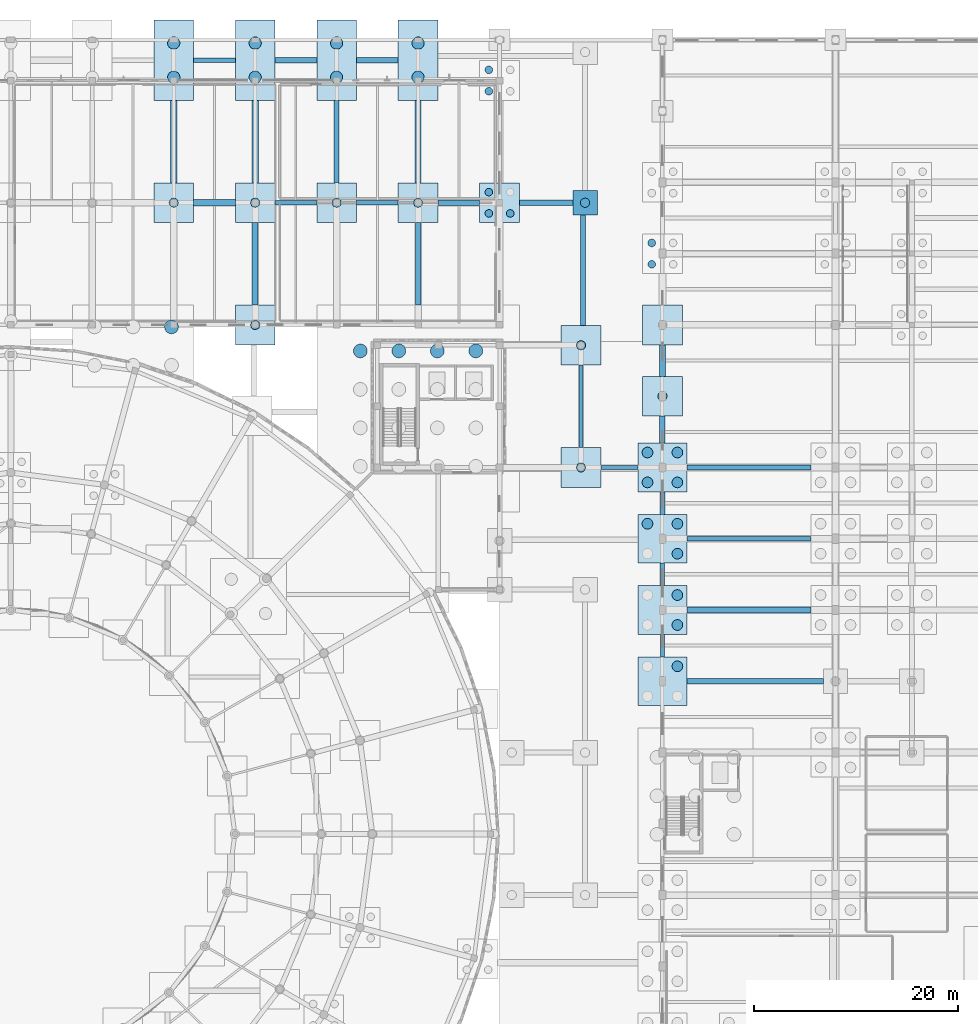
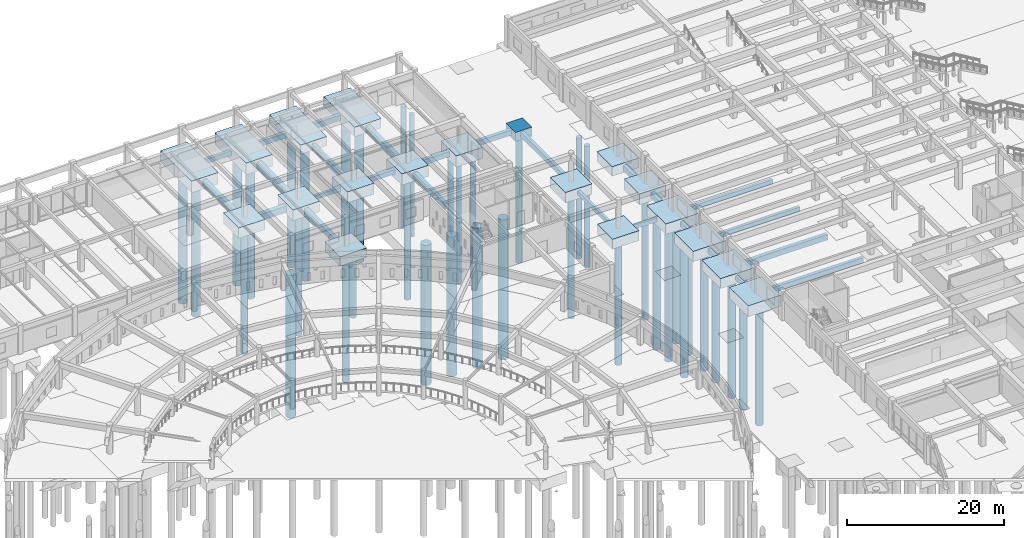
# One storey, part 7 of 84: 45 footings, 39 piles.
"""IFC4 building model written with IfcOpenShell, lengths in metres."""

from ifc_helpers import new_model, si_unit, direction, frame, origin, origin_2d, place, context, subcontext, project, spatial, rectangle, circle, extrude, material, material_profile, profile_set, type_object, element, save


model = new_model("IFC4")

# Units and contexts
model_context = context("Model", 3, precision=1e-05, world=origin(), true_north=direction((0.0, 1.0)))
body_context = subcontext(model_context, "Body", "Model", "MODEL_VIEW")
ifc_project = project(units=[si_unit("LENGTHUNIT", "METRE"), si_unit("AREAUNIT", "SQUARE_METRE"), si_unit("VOLUMEUNIT", "CUBIC_METRE"), si_unit("PLANEANGLEUNIT", "RADIAN"), si_unit("MASSUNIT", "GRAM", prefix="KILO")], contexts=[model_context])

# Site, building, storey
site_placement = place(None, origin())
site = spatial("IfcSite", under=ifc_project, at=site_placement, CompositionType="ELEMENT")
building_placement = place(site_placement, origin())
building = spatial("IfcBuilding", under=site, at=building_placement, Name="Larkveld Mobility Hub", CompositionType="ELEMENT")
storey_placement = place(building_placement, origin())
storey = spatial("IfcBuildingStorey", under=building, at=storey_placement, Name="L00", CompositionType="ELEMENT", Elevation=0.0)

# Footings
ifc_material = material(Name="Concrete C35/45", Category="concrete")
ifc_material_profile_1 = material_profile(ifc_material, rectangle(XDim=0.39990234375, YDim=0.60009765625, at=origin_2d()), Name="RC BM 400x600")
ifc_profile_set_1 = profile_set([ifc_material_profile_1], Name="Concrete C35/45")
footing_type_1 = type_object("IfcFootingType", Name="FT-FB01", PredefinedType="FOOTING_BEAM", material=ifc_profile_set_1)
footing_1_placement = place(storey_placement, frame((105.949951171875, 84.0, -0.64990234375), z_axis=(1.0, 0.0, 0.0), x_axis=(0.0, 1.0, 0.0)))
element("IfcFooting", 1, at=footing_1_placement, inside=storey, type_object=footing_type_1, Name="Ground Tie Beam GB-049", PredefinedType="FOOTING_BEAM", context=body_context, shape_type="SweptSolid", body=[
    extrude(rectangle(XDim=0.39990234375, YDim=0.60009765625, at=origin_2d()), origin(), (0.0, 0.0, 1.0), 3.650146484375),
])
footing_2_placement = place(storey_placement, frame((73.949951171875, 110.0, -0.64990234375), z_axis=(1.0, 0.0, 0.0), x_axis=(0.0, 1.0, 0.0)))
element("IfcFooting", 2, at=footing_2_placement, inside=storey, type_object=footing_type_1, Name="Ground Tie Beam GB-073", PredefinedType="FOOTING_BEAM", context=body_context, shape_type="SweptSolid", body=[
    extrude(rectangle(XDim=0.39990234375, YDim=0.60009765625, at=origin_2d()), origin(), (0.0, 0.0, 1.0), 4.10009765625),
])
footing_3_placement = place(storey_placement, frame((104.0, 85.949951171875, -0.64990234375), z_axis=(0.0, 1.0, 0.0), x_axis=(-1.0, 0.0, 0.0)))
element("IfcFooting", 3, at=footing_3_placement, inside=storey, type_object=footing_type_1, Name="Ground Tie Beam GB-139", PredefinedType="FOOTING_BEAM", context=body_context, shape_type="SweptSolid", body=[
    extrude(rectangle(XDim=0.39990234375, YDim=0.60009765625, at=origin_2d()), origin(), (0.0, 0.0, 1.0), 8.10009765625),
])
footing_4_placement = place(storey_placement, frame((112.0, 65.39990234375, -0.64990234375), z_axis=(0.0, 1.0, 0.0), x_axis=(-1.0, 0.0, 0.0)))
element("IfcFooting", 4, at=footing_4_placement, inside=storey, type_object=footing_type_1, Name="Ground Tie Beam GB-145", PredefinedType="FOOTING_BEAM", context=body_context, shape_type="SweptSolid", body=[
    extrude(rectangle(XDim=0.39990234375, YDim=0.60009765625, at=origin_2d()), origin(), (0.0, 0.0, 1.0), 2.2001953125),
])
ifc_material_profile_2 = material_profile(ifc_material, rectangle(XDim=0.449951171875, YDim=0.699951171875, at=origin_2d()), Name="RC BM 450x700")
ifc_profile_set_2 = profile_set([ifc_material_profile_2], Name="Concrete C35/45")
footing_type_2 = type_object("IfcFootingType", Name="FT-FB02", PredefinedType="FOOTING_BEAM", material=ifc_profile_set_2)
for number, where, z_axis, x_axis, name in (
    (5, (114.39990234375, 77.0, -0.699951171875), (1.0, 0.0, 0.0), (0.0, 1.0, 0.0), "Ground Tie Beam GB-044"),
    (6, (114.39990234375, 84.0, -0.699951171875), (1.0, 0.0, 0.0), (0.0, 1.0, 0.0), "Ground Tie Beam GB-050"),
):
    element("IfcFooting", number, at=place(storey_placement, frame(where, z_axis=z_axis, x_axis=x_axis)), inside=storey, type_object=footing_type_2, Name=name, PredefinedType="FOOTING_BEAM", context=body_context, shape_type="SweptSolid", body=[
        extrude(rectangle(XDim=0.449951171875, YDim=0.699951171875, at=origin_2d()), origin(), (0.0, 0.0, 1.0), 12.2001953125),
    ])
for number, where, z_axis, x_axis, name in (
    (7, (81.949951171875, 110.0, -0.699951171875), (1.0, 0.0, 0.0), (0.0, 1.0, 0.0), "Ground Tie Beam GB-074"),
    (8, (65.949951171875, 124.0, -0.699951171875), (1.0, 0.0, 0.0), (0.0, 1.0, 0.0), "Ground Tie Beam GB-086"),
):
    element("IfcFooting", number, at=place(storey_placement, frame(where, z_axis=z_axis, x_axis=x_axis)), inside=storey, type_object=footing_type_2, Name=name, PredefinedType="FOOTING_BEAM", context=body_context, shape_type="SweptSolid", body=[
        extrude(rectangle(XDim=0.449951171875, YDim=0.699951171875, at=origin_2d()), origin(), (0.0, 0.0, 1.0), 4.10009765625),
    ])
footing_5_placement = place(storey_placement, frame((112.0, 72.39990234375, -0.699951171875), z_axis=(0.0, 1.0, 0.0), x_axis=(-1.0, 0.0, 0.0)))
element("IfcFooting", 9, at=footing_5_placement, inside=storey, type_object=footing_type_2, Name="Ground Tie Beam GB-146", PredefinedType="FOOTING_BEAM", context=body_context, shape_type="SweptSolid", body=[
    extrude(rectangle(XDim=0.449951171875, YDim=0.699951171875, at=origin_2d()), origin(), (0.0, 0.0, 1.0), 2.2001953125),
])
ifc_material_profile_3 = material_profile(ifc_material, rectangle(XDim=0.5, YDim=0.800048828125, at=origin_2d()), Name="RC BM 500x800")
ifc_profile_set_3 = profile_set([ifc_material_profile_3], Name="Concrete C35/45")
footing_type_3 = type_object("IfcFootingType", Name="FT-FB03", PredefinedType="FOOTING_BEAM", material=ifc_profile_set_3)
for number, where, z_axis, x_axis, name in (
    (10, (89.949951171875, 110.0, -0.75), (1.0, 0.0, 0.0), (0.0, 1.0, 0.0), "Ground Tie Beam GB-075"),
    (11, (73.949951171875, 124.0, -0.75), (1.0, 0.0, 0.0), (0.0, 1.0, 0.0), "Ground Tie Beam GB-087"),
):
    element("IfcFooting", number, at=place(storey_placement, frame(where, z_axis=z_axis, x_axis=x_axis)), inside=storey, type_object=footing_type_3, Name=name, PredefinedType="FOOTING_BEAM", context=body_context, shape_type="SweptSolid", body=[
        extrude(rectangle(XDim=0.5, YDim=0.800048828125, at=origin_2d()), origin(), (0.0, 0.0, 1.0), 4.10009765625),
    ])
footing_6_placement = place(storey_placement, frame((80.0, 111.949951171875, -0.75), z_axis=(0.0, 1.0, 0.0), x_axis=(-1.0, 0.0, 0.0)))
element("IfcFooting", 12, at=footing_6_placement, inside=storey, type_object=footing_type_3, Name="Ground Tie Beam GB-135", PredefinedType="FOOTING_BEAM", context=body_context, shape_type="SweptSolid", body=[
    extrude(rectangle(XDim=0.5, YDim=0.800048828125, at=origin_2d()), origin(), (0.0, 0.0, 1.0), 8.10009765625),
])
footing_7_placement = place(storey_placement, frame((112.0, 79.39990234375, -0.75), z_axis=(0.0, 1.0, 0.0), x_axis=(-1.0, 0.0, 0.0)))
element("IfcFooting", 13, at=footing_7_placement, inside=storey, type_object=footing_type_3, Name="Ground Tie Beam GB-147", PredefinedType="FOOTING_BEAM", context=body_context, shape_type="SweptSolid", body=[
    extrude(rectangle(XDim=0.5, YDim=0.800048828125, at=origin_2d()), origin(), (0.0, 0.0, 1.0), 2.2001953125),
])
footing_8_placement = place(storey_placement, frame((114.39990234375, 63.0, -0.580078125), z_axis=(1.0, 0.0, 0.0), x_axis=(0.0, 1.0, 0.0)))
element("IfcFooting", 14, at=footing_8_placement, inside=storey, type_object=footing_type_3, Name="Passage Ground Tie Beam PGB-012", PredefinedType="FOOTING_BEAM", context=body_context, shape_type="SweptSolid", body=[
    extrude(rectangle(XDim=0.5, YDim=0.800048828125, at=origin_2d()), origin(), (0.0, 0.0, 1.0), 13.400146484375),
])
footing_9_placement = place(storey_placement, frame((97.949951171875, 110.0, -0.580078125), z_axis=(1.0, 0.0, 0.0), x_axis=(0.0, 1.0, 0.0)))
element("IfcFooting", 15, at=footing_9_placement, inside=storey, type_object=footing_type_3, Name="Passage Ground Tie Beam PGB-017", PredefinedType="FOOTING_BEAM", context=body_context, shape_type="SweptSolid", body=[
    extrude(rectangle(XDim=0.5, YDim=0.800048828125, at=origin_2d()), origin(), (0.0, 0.0, 1.0), 5.25),
])
footing_10_placement = place(storey_placement, frame((104.199951171875, 97.949951171875, -0.580078125), z_axis=(0.0, 1.0, 0.0), x_axis=(-1.0, 0.0, 0.0)))
element("IfcFooting", 16, at=footing_10_placement, inside=storey, type_object=footing_type_3, Name="Passage Ground Tie Beam PGB-028", PredefinedType="FOOTING_BEAM", context=body_context, shape_type="SweptSolid", body=[
    extrude(rectangle(XDim=0.5, YDim=0.800048828125, at=origin_2d()), origin(), (0.0, 0.0, 1.0), 10.85009765625),
])
ifc_material_profile_4 = material_profile(ifc_material, rectangle(XDim=0.550048828125, YDim=0.85009765625, at=origin_2d()), Name="RC BM 550x850")
ifc_profile_set_4 = profile_set([ifc_material_profile_4], Name="Concrete C35/45")
footing_type_4 = type_object("IfcFootingType", Name="FT-FB04", PredefinedType="FOOTING_BEAM", material=ifc_profile_set_4)
footing_11_placement = place(storey_placement, frame((114.39990234375, 70.0, -0.77490234375), z_axis=(1.0, 0.0, 0.0), x_axis=(0.0, 1.0, 0.0)))
element("IfcFooting", 17, at=footing_11_placement, inside=storey, type_object=footing_type_4, Name="Ground Tie Beam GB-040", PredefinedType="FOOTING_BEAM", context=body_context, shape_type="SweptSolid", body=[
    extrude(rectangle(XDim=0.550048828125, YDim=0.85009765625, at=origin_2d()), origin(), (0.0, 0.0, 1.0), 12.2001953125),
])
footing_12_placement = place(storey_placement, frame((81.949951171875, 124.0, -0.77490234375), z_axis=(1.0, 0.0, 0.0), x_axis=(0.0, 1.0, 0.0)))
element("IfcFooting", 18, at=footing_12_placement, inside=storey, type_object=footing_type_4, Name="Ground Tie Beam GB-088", PredefinedType="FOOTING_BEAM", context=body_context, shape_type="SweptSolid", body=[
    extrude(rectangle(XDim=0.550048828125, YDim=0.85009765625, at=origin_2d()), origin(), (0.0, 0.0, 1.0), 4.10009765625),
])
footing_13_placement = place(storey_placement, frame((88.0, 99.949951171875, -0.77490234375), z_axis=(0.0, 1.0, 0.0), x_axis=(-1.0, 0.0, 0.0)))
element("IfcFooting", 19, at=footing_13_placement, inside=storey, type_object=footing_type_4, Name="Ground Tie Beam GB-136", PredefinedType="FOOTING_BEAM", context=body_context, shape_type="SweptSolid", body=[
    extrude(rectangle(XDim=0.550048828125, YDim=0.85009765625, at=origin_2d()), origin(), (0.0, 0.0, 1.0), 8.10009765625),
])
footing_14_placement = place(storey_placement, frame((112.0, 86.39990234375, -0.77490234375), z_axis=(0.0, 1.0, 0.0), x_axis=(-1.0, 0.0, 0.0)))
element("IfcFooting", 20, at=footing_14_placement, inside=storey, type_object=footing_type_4, Name="Ground Tie Beam GB-148", PredefinedType="FOOTING_BEAM", context=body_context, shape_type="SweptSolid", body=[
    extrude(rectangle(XDim=0.550048828125, YDim=0.85009765625, at=origin_2d()), origin(), (0.0, 0.0, 1.0), 2.650146484375),
])
ifc_material_profile_5 = material_profile(ifc_material, rectangle(XDim=0.60009765625, YDim=0.89990234375, at=origin_2d()), Name="RC BM 600x900")
ifc_profile_set_5 = profile_set([ifc_material_profile_5], Name="Concrete C35/45")
footing_type_5 = type_object("IfcFootingType", Name="FT-FB05", PredefinedType="FOOTING_BEAM", material=ifc_profile_set_5)
for number, where, z_axis, x_axis, name in (
    (21, (64.0, 111.949951171875, -0.800048828125), (0.0, 1.0, 0.0), (-1.0, 0.0, 0.0), "Ground Tie Beam GB-125"),
    (22, (72.0, 99.949951171875, -0.800048828125), (0.0, 1.0, 0.0), (-1.0, 0.0, 0.0), "Ground Tie Beam GB-131"),
    (23, (88.0, 111.949951171875, -0.800048828125), (0.0, 1.0, 0.0), (-1.0, 0.0, 0.0), "Ground Tie Beam GB-137"),
):
    element("IfcFooting", number, at=place(storey_placement, frame(where, z_axis=z_axis, x_axis=x_axis)), inside=storey, type_object=footing_type_5, Name=name, PredefinedType="FOOTING_BEAM", context=body_context, shape_type="SweptSolid", body=[
        extrude(rectangle(XDim=0.60009765625, YDim=0.89990234375, at=origin_2d()), origin(), (0.0, 0.0, 1.0), 8.10009765625),
    ])
footing_15_placement = place(storey_placement, frame((112.0, 92.949951171875, -0.800048828125), z_axis=(0.0, 1.0, 0.0), x_axis=(-1.0, 0.0, 0.0)))
element("IfcFooting", 24, at=footing_15_placement, inside=storey, type_object=footing_type_5, Name="Ground Tie Beam GB-149", PredefinedType="FOOTING_BEAM", context=body_context, shape_type="SweptSolid", body=[
    extrude(rectangle(XDim=0.60009765625, YDim=0.89990234375, at=origin_2d()), origin(), (0.0, 0.0, 1.0), 3.10009765625),
])
ifc_material_profile_6 = material_profile(ifc_material, rectangle(XDim=0.64990234375, YDim=1.0, at=origin_2d()), Name="RC BM 650x1000")
ifc_profile_set_6 = profile_set([ifc_material_profile_6], Name="Concrete C35/45")
footing_type_6 = type_object("IfcFootingType", Name="FT-FB06", PredefinedType="FOOTING_BEAM", material=ifc_profile_set_6)
footing_16_placement = place(storey_placement, frame((65.949951171875, 110.0, -0.85009765625), z_axis=(1.0, 0.0, 0.0), x_axis=(0.0, 1.0, 0.0)))
element("IfcFooting", 25, at=footing_16_placement, inside=storey, type_object=footing_type_6, Name="Ground Tie Beam GB-072", PredefinedType="FOOTING_BEAM", context=body_context, shape_type="SweptSolid", body=[
    extrude(rectangle(XDim=0.64990234375, YDim=1.0, at=origin_2d()), origin(), (0.0, 0.0, 1.0), 4.10009765625),
])
footing_17_placement = place(storey_placement, frame((72.0, 111.949951171875, -0.85009765625), z_axis=(0.0, 1.0, 0.0), x_axis=(-1.0, 0.0, 0.0)))
element("IfcFooting", 26, at=footing_17_placement, inside=storey, type_object=footing_type_6, Name="Ground Tie Beam GB-132", PredefinedType="FOOTING_BEAM", context=body_context, shape_type="SweptSolid", body=[
    extrude(rectangle(XDim=0.64990234375, YDim=1.0, at=origin_2d()), origin(), (0.0, 0.0, 1.0), 8.10009765625),
])
footing_type_7 = type_object("IfcFootingType", Name="FT-PC02", PredefinedType="PILE_CAP", material=ifc_material)
footing_18_placement = place(storey_placement, frame((72.0, 98.0, -1.4501953125), z_axis=(0.0, 0.0, 1.0), x_axis=(1.0, 0.0, 0.0)))
element("IfcFooting", 27, at=footing_18_placement, inside=storey, type_object=footing_type_7, Name="Pile Cap PC-162", PredefinedType="PILE_CAP", context=body_context, shape_type="SweptSolid", body=[
    extrude(rectangle(XDim=3.89990234375, YDim=3.89990234375, at=origin_2d()), origin(), (0.0, 0.0, 1.0), 1.449951171875),
])
footing_type_8 = type_object("IfcFootingType", Name="FT-PC03", PredefinedType="PILE_CAP", material=ifc_material)
footing_19_placement = place(storey_placement, frame((112.0, 98.0, -1.5), z_axis=(0.0, 0.0, 1.0), x_axis=(1.0, 0.0, 0.0)))
element("IfcFooting", 28, at=footing_19_placement, inside=storey, type_object=footing_type_8, Name="Pile Cap PC-163", PredefinedType="PILE_CAP", context=body_context, shape_type="SweptSolid", body=[
    extrude(rectangle(XDim=3.89990234375, YDim=3.89990234375, at=origin_2d()), origin(), (0.0, 0.0, 1.0), 1.5),
])
footing_type_9 = type_object("IfcFootingType", Name="FT-PC04", PredefinedType="PILE_CAP", material=ifc_material)
footing_20_placement = place(storey_placement, frame((112.0, 70.0, -1.5498046875), z_axis=(0.0, 0.0, 1.0), x_axis=(1.0, 0.0, 0.0)))
element("IfcFooting", 29, at=footing_20_placement, inside=storey, type_object=footing_type_9, Name="Pile Cap PC-116", PredefinedType="PILE_CAP", context=body_context, shape_type="SweptSolid", body=[
    extrude(rectangle(XDim=4.800048828125, YDim=4.800048828125, at=origin_2d()), origin(), (0.0, 0.0, 1.0), 1.550048828125),
])
footing_21_placement = place(storey_placement, frame((104.0, 84.0, -1.5498046875), z_axis=(0.0, 0.0, 1.0), x_axis=(1.0, 0.0, 0.0)))
element("IfcFooting", 30, at=footing_21_placement, inside=storey, type_object=footing_type_9, Name="Pile Cap PC-148", PredefinedType="PILE_CAP", context=body_context, shape_type="SweptSolid", body=[
    extrude(rectangle(XDim=3.89990234375, YDim=3.89990234375, at=origin_2d()), origin(), (0.0, 0.0, 1.0), 1.550048828125),
])
footing_type_10 = type_object("IfcFootingType", Name="FT-PC06", PredefinedType="PILE_CAP", material=ifc_material)
footing_22_placement = place(storey_placement, frame((64.0, 110.0, -1.60009765625), z_axis=(0.0, 0.0, 1.0), x_axis=(1.0, 0.0, 0.0)))
element("IfcFooting", 31, at=footing_22_placement, inside=storey, type_object=footing_type_10, Name="Pile Cap PC-182", PredefinedType="PILE_CAP", context=body_context, shape_type="SweptSolid", body=[
    extrude(rectangle(XDim=3.89990234375, YDim=3.89990234375, at=origin_2d()), origin(), (0.0, 0.0, 1.0), 1.60009765625),
])
footing_type_11 = type_object("IfcFootingType", Name="FT-PC07", PredefinedType="PILE_CAP", material=ifc_material)
footing_23_placement = place(storey_placement, frame((72.0, 110.0, -1.64990234375), z_axis=(0.0, 0.0, 1.0), x_axis=(1.0, 0.0, 0.0)))
element("IfcFooting", 32, at=footing_23_placement, inside=storey, type_object=footing_type_11, Name="Pile Cap PC-183", PredefinedType="PILE_CAP", context=body_context, shape_type="SweptSolid", body=[
    extrude(rectangle(XDim=3.89990234375, YDim=3.89990234375, at=origin_2d()), origin(), (0.0, 0.0, 1.0), 1.64990234375),
])
footing_type_12 = type_object("IfcFootingType", Name="FT-PC08", PredefinedType="PILE_CAP", material=ifc_material)
footing_24_placement = place(storey_placement, frame((112.0, 63.0, -1.7001953125), z_axis=(0.0, 0.0, 1.0), x_axis=(1.0, 0.0, 0.0)))
element("IfcFooting", 33, at=footing_24_placement, inside=storey, type_object=footing_type_12, Name="Pile Cap PC-104", PredefinedType="PILE_CAP", context=body_context, shape_type="SweptSolid", body=[
    extrude(rectangle(XDim=4.800048828125, YDim=4.800048828125, at=origin_2d()), origin(), (0.0, 0.0, 1.0), 1.699951171875),
])
for number, where, z_axis, x_axis, name in (
    (34, (112.0, 91.0, -1.7001953125), (0.0, 0.0, 1.0), (1.0, 0.0, 0.0), "Pile Cap PC-152"),
    (35, (80.0, 110.0, -1.7001953125), (0.0, 0.0, 1.0), (1.0, 0.0, 0.0), "Pile Cap PC-184"),
):
    element("IfcFooting", number, at=place(storey_placement, frame(where, z_axis=z_axis, x_axis=x_axis)), inside=storey, type_object=footing_type_12, Name=name, PredefinedType="PILE_CAP", context=body_context, shape_type="SweptSolid", body=[
        extrude(rectangle(XDim=3.89990234375, YDim=3.89990234375, at=origin_2d()), origin(), (0.0, 0.0, 1.0), 1.699951171875),
    ])
footing_type_13 = type_object("IfcFootingType", Name="FT-PC09", PredefinedType="PILE_CAP", material=ifc_material)
footing_25_placement = place(storey_placement, frame((88.0, 110.0, -1.75), z_axis=(0.0, 0.0, 1.0), x_axis=(1.0, 0.0, 0.0)))
element("IfcFooting", 36, at=footing_25_placement, inside=storey, type_object=footing_type_13, Name="Pile Cap PC-185", PredefinedType="PILE_CAP", context=body_context, shape_type="SweptSolid", body=[
    extrude(rectangle(XDim=3.89990234375, YDim=3.89990234375, at=origin_2d()), origin(), (0.0, 0.0, 1.0), 1.75),
])
footing_type_14 = type_object("IfcFootingType", Name="FT-PC10", PredefinedType="PILE_CAP", material=ifc_material)
footing_26_placement = place(storey_placement, frame((96.0, 110.0, -1.75), z_axis=(0.0, 0.0, 1.0), x_axis=(1.0, 0.0, 0.0)))
element("IfcFooting", 37, at=footing_26_placement, inside=storey, type_object=footing_type_14, Name="Pile Cap PC-186", PredefinedType="PILE_CAP", context=body_context, shape_type="SweptSolid", body=[
    extrude(rectangle(XDim=3.89990234375, YDim=3.89990234375, at=origin_2d()), origin(), (0.0, 0.0, 1.0), 1.75),
])
footing_type_15 = type_object("IfcFootingType", Name="FT-PC11", PredefinedType="PILE_CAP", material=ifc_material)
footing_27_placement = place(storey_placement, frame((64.0, 124.0, -1.7998046875), z_axis=(0.0, 0.0, 1.0), x_axis=(1.0, 0.0, 0.0)))
element("IfcFooting", 38, at=footing_27_placement, inside=storey, type_object=footing_type_15, Name="Pile Cap PC-203", PredefinedType="PILE_CAP", context=body_context, shape_type="SweptSolid", body=[
    extrude(rectangle(XDim=3.89990234375, YDim=7.89990234375, at=origin_2d()), origin(), (0.0, 0.0, 1.0), 1.800048828125),
])
footing_type_16 = type_object("IfcFootingType", Name="FT-PC12", PredefinedType="PILE_CAP", material=ifc_material)
footing_28_placement = place(storey_placement, frame((72.0, 124.0, -1.7998046875), z_axis=(0.0, 0.0, 1.0), x_axis=(1.0, 0.0, 0.0)))
element("IfcFooting", 39, at=footing_28_placement, inside=storey, type_object=footing_type_16, Name="Pile Cap PC-204", PredefinedType="PILE_CAP", context=body_context, shape_type="SweptSolid", body=[
    extrude(rectangle(XDim=3.89990234375, YDim=7.89990234375, at=origin_2d()), origin(), (0.0, 0.0, 1.0), 1.800048828125),
])
footing_type_17 = type_object("IfcFootingType", Name="FT-PC13", PredefinedType="PILE_CAP", material=ifc_material)
footing_29_placement = place(storey_placement, frame((80.0, 124.0, -1.419921875), z_axis=(0.0, 0.0, 1.0), x_axis=(1.0, 0.0, 0.0)))
element("IfcFooting", 40, at=footing_29_placement, inside=storey, type_object=footing_type_17, Name="Pile Cap PC-205", PredefinedType="PILE_CAP", context=body_context, shape_type="SweptSolid", body=[
    extrude(rectangle(XDim=3.89990234375, YDim=7.89990234375, at=origin_2d()), origin(), (0.0, 0.0, 1.0), 1.419921875),
])
footing_30_placement = place(storey_placement, frame((104.39990234375, 110.0, -1.419921875), z_axis=(0.0, 0.0, 1.0), x_axis=(1.0, 0.0, 0.0)))
element("IfcFooting", 41, at=footing_30_placement, inside=storey, type_object=footing_type_17, Name="Plinth Pile Cap PC-DL19", PredefinedType="PILE_CAP", context=body_context, shape_type="SweptSolid", body=[
    extrude(rectangle(XDim=2.39990234375, YDim=2.39990234375, at=origin_2d()), origin(), (0.0, 0.0, 1.0), 1.419921875),
])
footing_type_18 = type_object("IfcFootingType", Name="FT-PC14", PredefinedType="PILE_CAP", material=ifc_material)
footing_31_placement = place(storey_placement, frame((88.0, 124.0, -1.47998046875), z_axis=(0.0, 0.0, 1.0), x_axis=(1.0, 0.0, 0.0)))
element("IfcFooting", 42, at=footing_31_placement, inside=storey, type_object=footing_type_18, Name="Pile Cap PC-206", PredefinedType="PILE_CAP", context=body_context, shape_type="SweptSolid", body=[
    extrude(rectangle(XDim=3.89990234375, YDim=7.89990234375, at=origin_2d()), origin(), (0.0, 0.0, 1.0), 1.47998046875),
])
footing_type_19 = type_object("IfcFootingType", Name="FT-PC15", PredefinedType="PILE_CAP", material=ifc_material)
for number, where, z_axis, x_axis, name in (
    (43, (112.0, 77.0, -1.6201171875), (0.0, 0.0, 1.0), (1.0, 0.0, 0.0), "Pile Cap PC-127"),
    (44, (112.0, 84.0, -1.6201171875), (0.0, 0.0, 1.0), (1.0, 0.0, 0.0), "Pile Cap PC-143"),
):
    element("IfcFooting", number, at=place(storey_placement, frame(where, z_axis=z_axis, x_axis=x_axis)), inside=storey, type_object=footing_type_19, Name=name, PredefinedType="PILE_CAP", context=body_context, shape_type="SweptSolid", body=[
        extrude(rectangle(XDim=4.800048828125, YDim=4.800048828125, at=origin_2d()), origin(), (0.0, 0.0, 1.0), 1.6201171875),
    ])
footing_32_placement = place(storey_placement, frame((104.0, 96.0, -1.6201171875), z_axis=(0.0, 0.0, 1.0), x_axis=(1.0, 0.0, 0.0)))
element("IfcFooting", 45, at=footing_32_placement, inside=storey, type_object=footing_type_19, Name="Pile Cap PC-159", PredefinedType="PILE_CAP", context=body_context, shape_type="SweptSolid", body=[
    extrude(rectangle(XDim=3.89990234375, YDim=3.89990234375, at=origin_2d()), origin(), (0.0, 0.0, 1.0), 1.6201171875),
])

# Piles
ifc_material_profile_7 = material_profile(ifc_material, circle(Radius=0.375, at=origin_2d()), Name="PILE D750")
ifc_profile_set_7 = profile_set([ifc_material_profile_7], Name="Concrete C35/45")
pile_type_1 = type_object("IfcPileType", Name="PL-B0750", PredefinedType="BORED", material=ifc_profile_set_7)
for number, where, z_axis, x_axis, name in (
    (46, (110.949951171875, 103.949951171875, -1.699951171875), (0.0, 0.0, -1.0), (1.0, 0.0, 0.0), "Bored Pile P-0482"),
    (47, (110.949951171875, 106.050048828125, -1.699951171875), (0.0, 0.0, -1.0), (1.0, 0.0, 0.0), "Bored Pile P-0483"),
):
    element("IfcPile", number, at=place(storey_placement, frame(where, z_axis=z_axis, x_axis=x_axis)), inside=storey, type_object=pile_type_1, Name=name, PredefinedType="BORED", context=body_context, shape_type="SweptSolid", body=[
        extrude(circle(Radius=0.375, at=origin_2d()), origin(), (0.0, 0.0, 1.0), 18.800048828125),
    ])
for number, where, z_axis, x_axis, name in (
    (48, (94.949951171875, 108.949951171875, -1.64990234375), (0.0, 0.0, -1.0), (1.0, 0.0, 0.0), "Bored Pile P-0526"),
    (49, (94.949951171875, 111.050048828125, -1.64990234375), (0.0, 0.0, -1.0), (1.0, 0.0, 0.0), "Bored Pile P-0527"),
    (50, (97.050048828125, 108.949951171875, -1.64990234375), (0.0, 0.0, -1.0), (1.0, 0.0, 0.0), "Bored Pile P-0528"),
):
    element("IfcPile", number, at=place(storey_placement, frame(where, z_axis=z_axis, x_axis=x_axis)), inside=storey, type_object=pile_type_1, Name=name, PredefinedType="BORED", context=body_context, shape_type="SweptSolid", body=[
        extrude(circle(Radius=0.375, at=origin_2d()), origin(), (0.0, 0.0, 1.0), 18.85009765625),
    ])
for number, where, z_axis, x_axis, name in (
    (51, (94.949951171875, 120.949951171875, -1.52001953125), (0.0, 0.0, -1.0), (1.0, 0.0, 0.0), "Bored Pile P-0572"),
    (52, (94.949951171875, 123.050048828125, -1.52001953125), (0.0, 0.0, -1.0), (1.0, 0.0, 0.0), "Bored Pile P-0573"),
):
    element("IfcPile", number, at=place(storey_placement, frame(where, z_axis=z_axis, x_axis=x_axis)), inside=storey, type_object=pile_type_1, Name=name, PredefinedType="BORED", context=body_context, shape_type="SweptSolid", body=[
        extrude(circle(Radius=0.375, at=origin_2d()), origin(), (0.0, 0.0, 1.0), 18.97998046875),
    ])
ifc_material_profile_8 = material_profile(ifc_material, circle(Radius=0.449951171875, at=origin_2d()), Name="PILE D900")
ifc_profile_set_8 = profile_set([ifc_material_profile_8], Name="Concrete C35/45")
pile_type_2 = type_object("IfcPileType", Name="PL-B0900", PredefinedType="BORED", material=ifc_profile_set_8)
pile_1_placement = place(storey_placement, frame((104.0, 84.0, -1.449951171875), z_axis=(0.0, 0.0, -1.0), x_axis=(1.0, 0.0, 0.0)))
element("IfcPile", 53, at=pile_1_placement, inside=storey, type_object=pile_type_2, Name="Bored Pile P-0438", PredefinedType="BORED", context=body_context, shape_type="SweptSolid", body=[
    extrude(circle(Radius=0.449951171875, at=origin_2d()), origin(), (0.0, 0.0, 1.0), 19.75),
])
pile_2_placement = place(storey_placement, frame((112.0, 91.0, -1.60009765625), z_axis=(0.0, 0.0, -1.0), x_axis=(1.0, 0.0, 0.0)))
element("IfcPile", 54, at=pile_2_placement, inside=storey, type_object=pile_type_2, Name="Bored Pile P-0445", PredefinedType="BORED", context=body_context, shape_type="SweptSolid", body=[
    extrude(circle(Radius=0.449951171875, at=origin_2d()), origin(), (0.0, 0.0, 1.0), 19.60009765625),
])
pile_3_placement = place(storey_placement, frame((104.0, 96.0, -1.52001953125), z_axis=(0.0, 0.0, -1.0), x_axis=(1.0, 0.0, 0.0)))
element("IfcPile", 55, at=pile_3_placement, inside=storey, type_object=pile_type_2, Name="Bored Pile P-0464", PredefinedType="BORED", context=body_context, shape_type="SweptSolid", body=[
    extrude(circle(Radius=0.449951171875, at=origin_2d()), origin(), (0.0, 0.0, 1.0), 19.679931640625),
])
pile_4_placement = place(storey_placement, frame((72.0, 98.0, -1.35009765625), z_axis=(0.0, 0.0, -1.0), x_axis=(1.0, 0.0, 0.0)))
element("IfcPile", 56, at=pile_4_placement, inside=storey, type_object=pile_type_2, Name="Bored Pile P-0470", PredefinedType="BORED", context=body_context, shape_type="SweptSolid", body=[
    extrude(circle(Radius=0.449951171875, at=origin_2d()), origin(), (0.0, 0.0, 1.0), 19.85009765625),
])
pile_5_placement = place(storey_placement, frame((64.0, 110.0, -1.5), z_axis=(0.0, 0.0, -1.0), x_axis=(1.0, 0.0, 0.0)))
element("IfcPile", 57, at=pile_5_placement, inside=storey, type_object=pile_type_2, Name="Bored Pile P-0522", PredefinedType="BORED", context=body_context, shape_type="SweptSolid", body=[
    extrude(circle(Radius=0.449951171875, at=origin_2d()), origin(), (0.0, 0.0, 1.0), 19.699951171875),
])
pile_6_placement = place(storey_placement, frame((72.0, 110.0, -1.550048828125), z_axis=(0.0, 0.0, -1.0), x_axis=(1.0, 0.0, 0.0)))
element("IfcPile", 58, at=pile_6_placement, inside=storey, type_object=pile_type_2, Name="Bored Pile P-0523", PredefinedType="BORED", context=body_context, shape_type="SweptSolid", body=[
    extrude(circle(Radius=0.449951171875, at=origin_2d()), origin(), (0.0, 0.0, 1.0), 19.64990234375),
])
pile_7_placement = place(storey_placement, frame((80.0, 110.0, -1.60009765625), z_axis=(0.0, 0.0, -1.0), x_axis=(1.0, 0.0, 0.0)))
element("IfcPile", 59, at=pile_7_placement, inside=storey, type_object=pile_type_2, Name="Bored Pile P-0524", PredefinedType="BORED", context=body_context, shape_type="SweptSolid", body=[
    extrude(circle(Radius=0.449951171875, at=origin_2d()), origin(), (0.0, 0.0, 1.0), 19.60009765625),
])
pile_8_placement = place(storey_placement, frame((88.0, 110.0, -1.64990234375), z_axis=(0.0, 0.0, -1.0), x_axis=(1.0, 0.0, 0.0)))
element("IfcPile", 60, at=pile_8_placement, inside=storey, type_object=pile_type_2, Name="Bored Pile P-0525", PredefinedType="BORED", context=body_context, shape_type="SweptSolid", body=[
    extrude(circle(Radius=0.449951171875, at=origin_2d()), origin(), (0.0, 0.0, 1.0), 19.550048828125),
])
pile_9_placement = place(storey_placement, frame((104.39990234375, 110.0, -1.320068359375), z_axis=(0.0, 0.0, -1.0), x_axis=(1.0, 0.0, 0.0)))
element("IfcPile", 61, at=pile_9_placement, inside=storey, type_object=pile_type_2, Name="Bored Pile P-DL19", PredefinedType="BORED", context=body_context, shape_type="SweptSolid", body=[
    extrude(circle(Radius=0.449951171875, at=origin_2d()), origin(), (0.0, 0.0, 1.0), 19.8798828125),
])
ifc_material_profile_9 = material_profile(ifc_material, circle(Radius=0.52490234375, at=origin_2d()), Name="PILE D1050")
ifc_profile_set_9 = profile_set([ifc_material_profile_9], Name="Concrete C35/45")
pile_type_3 = type_object("IfcPileType", Name="PL-B1050", PredefinedType="BORED", material=ifc_profile_set_9)
pile_10_placement = place(storey_placement, frame((113.469970703125, 64.469970703125, -1.60009765625), z_axis=(0.0, 0.0, -1.0), x_axis=(1.0, 0.0, 0.0)))
element("IfcPile", 62, at=pile_10_placement, inside=storey, type_object=pile_type_3, Name="Bored Pile P-0313", PredefinedType="BORED", context=body_context, shape_type="SweptSolid", body=[
    extrude(circle(Radius=0.52490234375, at=origin_2d()), origin(), (0.0, 0.0, 1.0), 20.39990234375),
])
for number, where, z_axis, x_axis, name in (
    (63, (113.469970703125, 68.530029296875, -1.449951171875), (0.0, 0.0, -1.0), (1.0, 0.0, 0.0), "Bored Pile P-0330"),
    (64, (113.469970703125, 71.469970703125, -1.449951171875), (0.0, 0.0, -1.0), (1.0, 0.0, 0.0), "Bored Pile P-0331"),
):
    element("IfcPile", number, at=place(storey_placement, frame(where, z_axis=z_axis, x_axis=x_axis)), inside=storey, type_object=pile_type_3, Name=name, PredefinedType="BORED", context=body_context, shape_type="SweptSolid", body=[
        extrude(circle(Radius=0.52490234375, at=origin_2d()), origin(), (0.0, 0.0, 1.0), 20.550048828125),
    ])
for number, where, z_axis, x_axis, name in (
    (65, (110.530029296875, 78.469970703125, -1.52001953125), (0.0, 0.0, -1.0), (1.0, 0.0, 0.0), "Bored Pile P-0358"),
    (66, (113.469970703125, 75.530029296875, -1.52001953125), (0.0, 0.0, -1.0), (1.0, 0.0, 0.0), "Bored Pile P-0359"),
    (67, (113.469970703125, 78.469970703125, -1.52001953125), (0.0, 0.0, -1.0), (1.0, 0.0, 0.0), "Bored Pile P-0360"),
    (68, (110.530029296875, 82.530029296875, -1.52001953125), (0.0, 0.0, -1.0), (1.0, 0.0, 0.0), "Bored Pile P-0418"),
    (69, (110.530029296875, 85.469970703125, -1.52001953125), (0.0, 0.0, -1.0), (1.0, 0.0, 0.0), "Bored Pile P-0419"),
    (70, (113.469970703125, 82.530029296875, -1.52001953125), (0.0, 0.0, -1.0), (1.0, 0.0, 0.0), "Bored Pile P-0420"),
    (71, (113.469970703125, 85.469970703125, -1.52001953125), (0.0, 0.0, -1.0), (1.0, 0.0, 0.0), "Bored Pile P-0421"),
):
    element("IfcPile", number, at=place(storey_placement, frame(where, z_axis=z_axis, x_axis=x_axis)), inside=storey, type_object=pile_type_3, Name=name, PredefinedType="BORED", context=body_context, shape_type="SweptSolid", body=[
        extrude(circle(Radius=0.52490234375, at=origin_2d()), origin(), (0.0, 0.0, 1.0), 20.47998046875),
    ])
ifc_material_profile_10 = material_profile(ifc_material, circle(Radius=0.60009765625, at=origin_2d()), Name="PILE D1200")
ifc_profile_set_10 = profile_set([ifc_material_profile_10], Name="Concrete C35/45")
pile_type_4 = type_object("IfcPileType", Name="PL-B1200", PredefinedType="BORED", material=ifc_profile_set_10)
for number, where, z_axis, x_axis, name in (
    (72, (64.0, 122.320068359375, -1.699951171875), (0.0, 0.0, -1.0), (1.0, 0.0, 0.0), "Bored Pile P-0564"),
    (73, (64.0, 125.679931640625, -1.699951171875), (0.0, 0.0, -1.0), (1.0, 0.0, 0.0), "Bored Pile P-0565"),
    (74, (72.0, 122.320068359375, -1.699951171875), (0.0, 0.0, -1.0), (1.0, 0.0, 0.0), "Bored Pile P-0566"),
    (75, (72.0, 125.679931640625, -1.699951171875), (0.0, 0.0, -1.0), (1.0, 0.0, 0.0), "Bored Pile P-0567"),
):
    element("IfcPile", number, at=place(storey_placement, frame(where, z_axis=z_axis, x_axis=x_axis)), inside=storey, type_object=pile_type_4, Name=name, PredefinedType="BORED", context=body_context, shape_type="SweptSolid", body=[
        extrude(circle(Radius=0.60009765625, at=origin_2d()), origin(), (0.0, 0.0, 1.0), 21.10009765625),
    ])
for number, where, z_axis, x_axis, name in (
    (76, (80.0, 122.320068359375, -1.320068359375), (0.0, 0.0, -1.0), (1.0, 0.0, 0.0), "Bored Pile P-0568"),
    (77, (80.0, 125.679931640625, -1.320068359375), (0.0, 0.0, -1.0), (1.0, 0.0, 0.0), "Bored Pile P-0569"),
):
    element("IfcPile", number, at=place(storey_placement, frame(where, z_axis=z_axis, x_axis=x_axis)), inside=storey, type_object=pile_type_4, Name=name, PredefinedType="BORED", context=body_context, shape_type="SweptSolid", body=[
        extrude(circle(Radius=0.60009765625, at=origin_2d()), origin(), (0.0, 0.0, 1.0), 21.47998046875),
    ])
for number, where, z_axis, x_axis, name in (
    (78, (88.0, 122.320068359375, -1.3798828125), (0.0, 0.0, -1.0), (1.0, 0.0, 0.0), "Bored Pile P-0570"),
    (79, (88.0, 125.679931640625, -1.3798828125), (0.0, 0.0, -1.0), (1.0, 0.0, 0.0), "Bored Pile P-0571"),
):
    element("IfcPile", number, at=place(storey_placement, frame(where, z_axis=z_axis, x_axis=x_axis)), inside=storey, type_object=pile_type_4, Name=name, PredefinedType="BORED", context=body_context, shape_type="SweptSolid", body=[
        extrude(circle(Radius=0.60009765625, at=origin_2d()), origin(), (0.0, 0.0, 1.0), 21.419921875),
    ])
ifc_material_profile_11 = material_profile(ifc_material, circle(Radius=0.675048828125, at=origin_2d()), Name="PILE D1350")
ifc_profile_set_11 = profile_set([ifc_material_profile_11], Name="Concrete C35/45")
pile_type_5 = type_object("IfcPileType", Name="PL-B1350", PredefinedType="BORED", material=ifc_profile_set_11)
for number, where, z_axis, x_axis, name in (
    (80, (82.330078125, 95.446044921875, -1.699951171875), (0.0, 0.0, -1.0), (1.0, 0.0, 0.0), "Bored Pile P-0393"),
    (81, (86.110107421875, 95.446044921875, -1.699951171875), (0.0, 0.0, -1.0), (1.0, 0.0, 0.0), "Bored Pile P-0397"),
    (82, (89.889892578125, 95.446044921875, -1.699951171875), (0.0, 0.0, -1.0), (1.0, 0.0, 0.0), "Bored Pile P-0401"),
    (83, (93.669921875, 95.446044921875, -1.699951171875), (0.0, 0.0, -1.0), (1.0, 0.0, 0.0), "Bored Pile P-0405"),
):
    element("IfcPile", number, at=place(storey_placement, frame(where, z_axis=z_axis, x_axis=x_axis)), inside=storey, type_object=pile_type_5, Name=name, PredefinedType="BORED", context=body_context, shape_type="SweptSolid", body=[
        extrude(circle(Radius=0.675048828125, at=origin_2d()), origin(), (0.0, 0.0, 1.0), 21.800048828125),
    ])
pile_11_placement = place(storey_placement, frame((63.780029296875, 97.805908203125, -1.320068359375), z_axis=(0.0, 0.0, -1.0), x_axis=(1.0, 0.0, 0.0)))
element("IfcPile", 84, at=pile_11_placement, inside=storey, type_object=pile_type_5, Name="Bored Pile P-0461", PredefinedType="BORED", context=body_context, shape_type="SweptSolid", body=[
    extrude(circle(Radius=0.675048828125, at=origin_2d()), origin(), (0.0, 0.0, 1.0), 22.179931640625),
])

save(model, "model.ifc")
